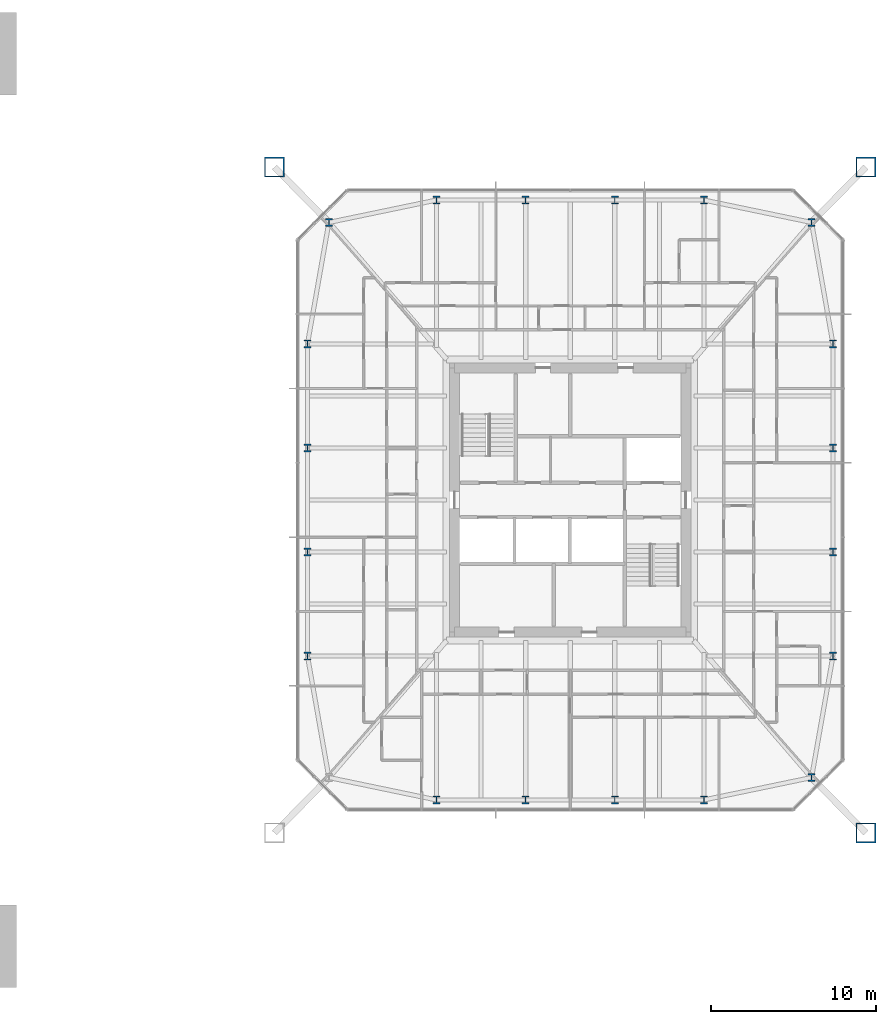
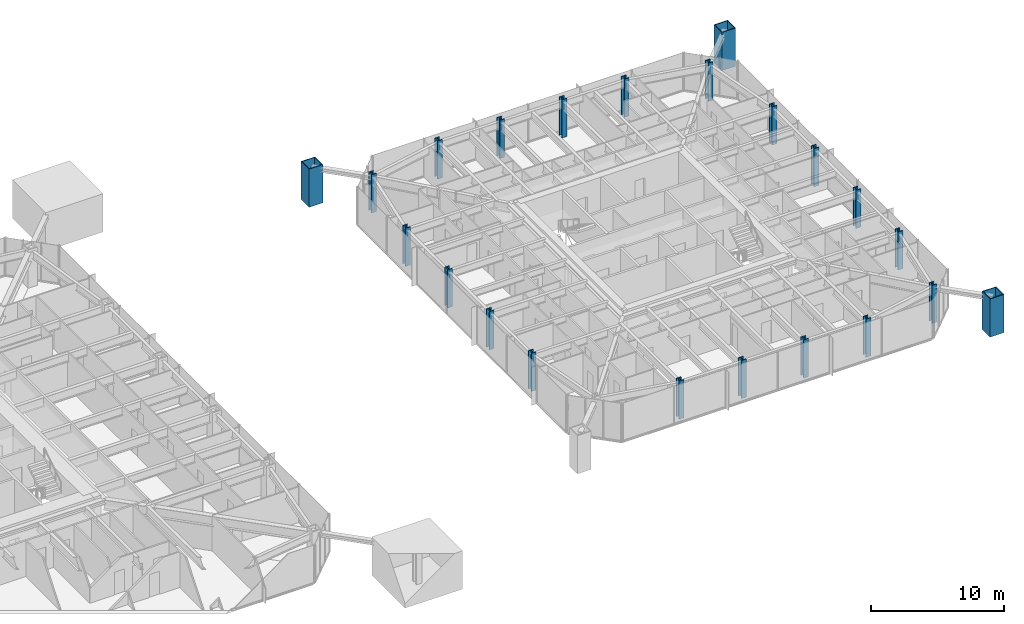
# One storey, part 2 of 26: 22 columns.
"""IFC4 building model written with IfcOpenShell, lengths in metres."""

from ifc_helpers import new_model, si_unit, direction, frame, origin, origin_2d, place, context, subcontext, project, spatial, hollow_rectangle, i_section, extrude, material, material_profile, profile_set, type_object, element, save


model = new_model("IFC4")

# Units and contexts
model_context = context("Model", 3, precision=1e-05, world=origin(), true_north=direction((0.0, 1.0)))
body_context = subcontext(model_context, "Body", "Model", "MODEL_VIEW")
ifc_project = project(units=[si_unit("LENGTHUNIT", "METRE"), si_unit("AREAUNIT", "SQUARE_METRE"), si_unit("VOLUMEUNIT", "CUBIC_METRE"), si_unit("PLANEANGLEUNIT", "RADIAN"), si_unit("MASSUNIT", "GRAM", prefix="KILO")], contexts=[model_context])

# Site, building, storey
site_placement = place(None, origin())
site = spatial("IfcSite", under=ifc_project, at=site_placement, CompositionType="ELEMENT")
building_placement = place(site_placement, origin())
building = spatial("IfcBuilding", under=site, at=building_placement, Name="Iwan Alto Co-Living Towers", CompositionType="ELEMENT")
storey_placement = place(building_placement, frame((0.0, 0.0, 32.5)))
storey = spatial("IfcBuildingStorey", under=building, at=storey_placement, Name="L08", CompositionType="ELEMENT", Elevation=32.5)

# Columns
ifc_material_1 = material(Name="Steel ASTM A572 Gr 50", Category="steel")
ifc_material_profile_1 = material_profile(ifc_material_1, hollow_rectangle(XDim=1.199951171875, YDim=1.199951171875, WallThickness=0.070068359375, at=origin_2d()), Name="BOX 1200X1200X70")
ifc_profile_set_1 = profile_set([ifc_material_profile_1], Name="Steel ASTM A572 Gr 50")
column_type_1 = type_object("IfcColumnType", Name="T2 MEGA COLUMN BOX 1200X1200X70", PredefinedType="COLUMN", material=ifc_profile_set_1)
for number, where, z_axis, x_axis, name in (
    (1, (80.89990234375, -20.14990234375, 0.0), (0.0, 0.0, 1.0), (1.0, 0.0, 0.0), "T2 mega column SE L08"),
    (2, (80.89990234375, 20.14990234375, 0.0), (0.0, 0.0, 1.0), (1.0, 0.0, 0.0), "T2 mega column NE L08"),
    (3, (45.10009765625, 20.14990234375, 0.0), (0.0, 0.0, 1.0), (1.0, 0.0, 0.0), "T2 mega column NW L08"),
):
    element("IfcColumn", number, at=place(storey_placement, frame(where, z_axis=z_axis, x_axis=x_axis)), inside=storey, type_object=column_type_1, Name=name, PredefinedType="COLUMN", context=body_context, shape_type="SweptSolid", body=[
        extrude(hollow_rectangle(XDim=1.199951171875, YDim=1.199951171875, WallThickness=0.070068359375, at=origin_2d()), origin(), (0.0, 0.0, 1.0), 3.5),
    ])
ifc_material_2 = material(Name="Steel ASTM A992 Gr 50", Category="steel")
ifc_material_profile_2 = material_profile(ifc_material_2, i_section(OverallWidth=0.424072265625, OverallDepth=0.47509765625, WebThickness=0.0478515625, FlangeThickness=0.0771484375, at=origin_2d()), Name="W14X426")
ifc_profile_set_2 = profile_set([ifc_material_profile_2], Name="Steel ASTM A992 Gr 50")
column_type_2 = type_object("IfcColumnType", Name="T2 RING COLUMN W14X426", PredefinedType="COLUMN", material=ifc_profile_set_2)
for number, where, z_axis, x_axis, name in (
    (4, (54.89990234375, -18.14990234375, 0.0), (0.0, 0.0, 1.0), (1.0, 0.0, 0.0), "T2 ring column S1 L08"),
    (5, (60.300048828125, -18.14990234375, 0.0), (0.0, 0.0, 1.0), (1.0, 0.0, 0.0), "T2 ring column S2 L08"),
    (6, (65.699951171875, -18.14990234375, 0.0), (0.0, 0.0, 1.0), (1.0, 0.0, 0.0), "T2 ring column S3 L08"),
    (7, (71.10009765625, -18.14990234375, 0.0), (0.0, 0.0, 1.0), (1.0, 0.0, 0.0), "T2 ring column S4 L08"),
    (8, (77.606201171875, -16.797119140625, 0.0), (0.0, 0.0, 1.0), (1.0, 0.0, 0.0), "T2 ring column CSE L08"),
    (9, (78.89990234375, -9.449951171875, 0.0), (0.0, 0.0, 1.0), (1.0, 0.0, 0.0), "T2 ring column E1 L08"),
    (10, (78.89990234375, -3.14990234375, 0.0), (0.0, 0.0, 1.0), (1.0, 0.0, 0.0), "T2 ring column E2 L08"),
    (11, (78.89990234375, 3.14990234375, 0.0), (0.0, 0.0, 1.0), (1.0, 0.0, 0.0), "T2 ring column E3 L08"),
    (12, (78.89990234375, 9.449951171875, 0.0), (0.0, 0.0, 1.0), (1.0, 0.0, 0.0), "T2 ring column E4 L08"),
    (13, (77.606201171875, 16.797119140625, 0.0), (0.0, 0.0, 1.0), (1.0, 0.0, 0.0), "T2 ring column CNE L08"),
    (14, (71.10009765625, 18.14990234375, 0.0), (0.0, 0.0, 1.0), (1.0, 0.0, 0.0), "T2 ring column N1 L08"),
    (15, (65.699951171875, 18.14990234375, 0.0), (0.0, 0.0, 1.0), (1.0, 0.0, 0.0), "T2 ring column N2 L08"),
    (16, (60.300048828125, 18.14990234375, 0.0), (0.0, 0.0, 1.0), (1.0, 0.0, 0.0), "T2 ring column N3 L08"),
    (17, (54.89990234375, 18.14990234375, 0.0), (0.0, 0.0, 1.0), (1.0, 0.0, 0.0), "T2 ring column N4 L08"),
    (18, (48.393798828125, 16.797119140625, 0.0), (0.0, 0.0, 1.0), (1.0, 0.0, 0.0), "T2 ring column CNW L08"),
    (19, (47.10009765625, 9.449951171875, 0.0), (0.0, 0.0, 1.0), (1.0, 0.0, 0.0), "T2 ring column W1 L08"),
    (20, (47.10009765625, 3.14990234375, 0.0), (0.0, 0.0, 1.0), (1.0, 0.0, 0.0), "T2 ring column W2 L08"),
    (21, (47.10009765625, -3.14990234375, 0.0), (0.0, 0.0, 1.0), (1.0, 0.0, 0.0), "T2 ring column W3 L08"),
    (22, (47.10009765625, -9.449951171875, 0.0), (0.0, 0.0, 1.0), (1.0, 0.0, 0.0), "T2 ring column W4 L08"),
):
    element("IfcColumn", number, at=place(storey_placement, frame(where, z_axis=z_axis, x_axis=x_axis)), inside=storey, type_object=column_type_2, Name=name, PredefinedType="COLUMN", context=body_context, shape_type="SweptSolid", body=[
        extrude(i_section(OverallWidth=0.424072265625, OverallDepth=0.47509765625, WebThickness=0.0478515625, FlangeThickness=0.0771484375, at=origin_2d()), origin(), (0.0, 0.0, 1.0), 3.5),
    ])

save(model, "model.ifc")
